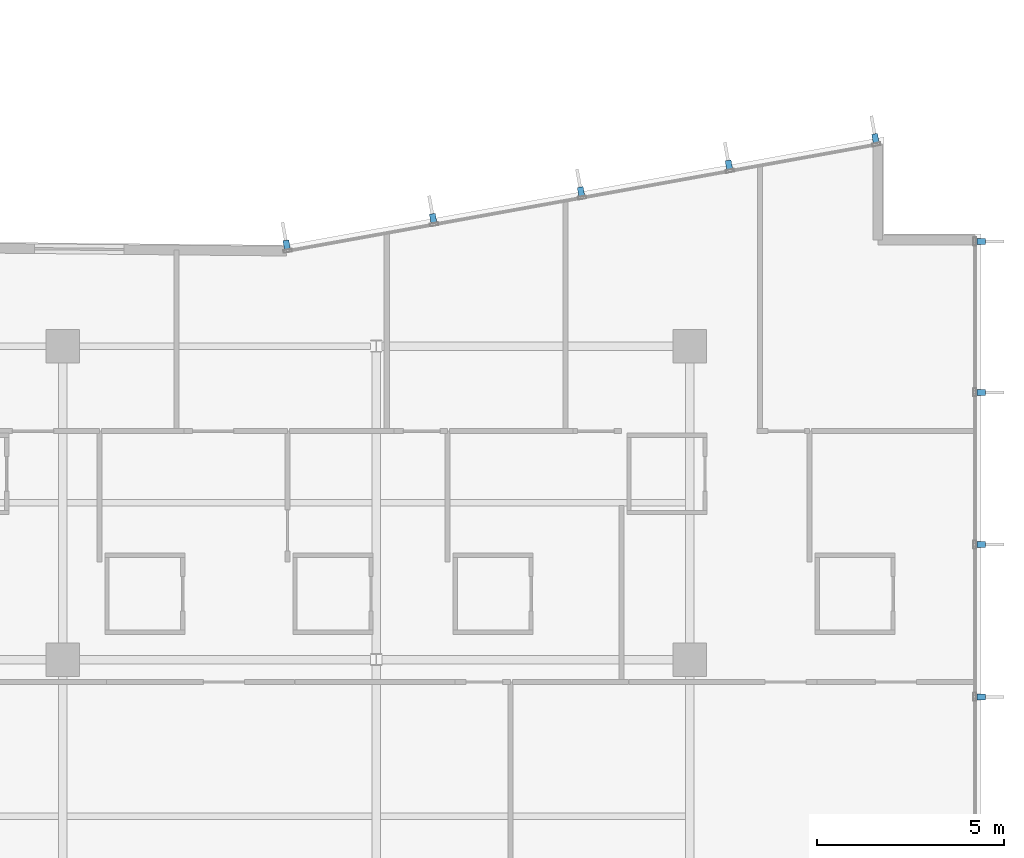
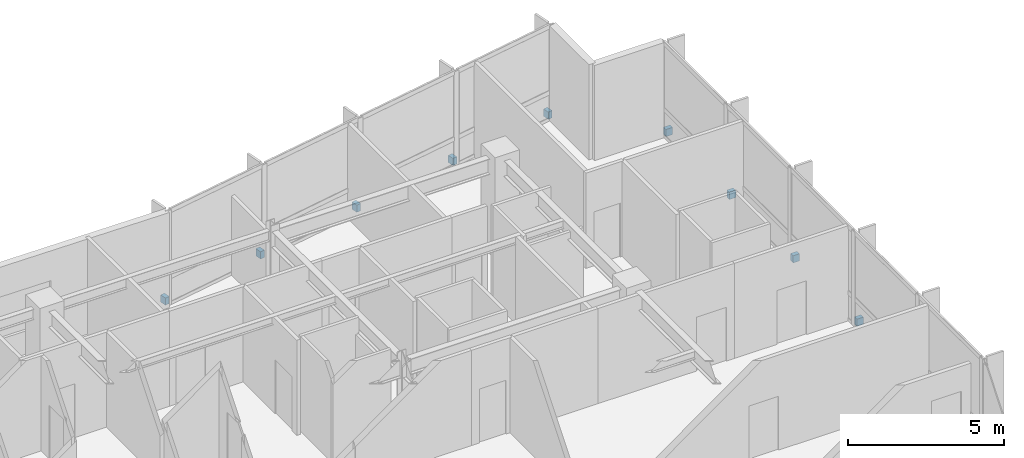
# One storey, part 16 of 22: 9 discrete accessories.
"""IFC4 building model written with IfcOpenShell, lengths in metres."""

from ifc_helpers import new_model, si_unit, direction, frame, origin, origin_2d, place, context, subcontext, project, spatial, rectangle, extrude, material, type_object, element, save


model = new_model("IFC4")

# Units and contexts
model_context = context("Model", 3, precision=1e-05, world=origin(), true_north=direction((0.0, 1.0)))
body_context = subcontext(model_context, "Body", "Model", "MODEL_VIEW")
ifc_project = project(units=[si_unit("LENGTHUNIT", "METRE"), si_unit("AREAUNIT", "SQUARE_METRE"), si_unit("VOLUMEUNIT", "CUBIC_METRE"), si_unit("PLANEANGLEUNIT", "RADIAN"), si_unit("MASSUNIT", "GRAM", prefix="KILO")], contexts=[model_context])

# Site, building, storey
site_placement = place(None, origin())
site = spatial("IfcSite", under=ifc_project, at=site_placement, CompositionType="ELEMENT")
building_placement = place(site_placement, origin())
building = spatial("IfcBuilding", under=site, at=building_placement, Name="Varnakote Quay Hospital", CompositionType="ELEMENT")
storey_placement = place(building_placement, frame((0.0, 0.0, 65.949951171875)))
storey = spatial("IfcBuildingStorey", under=building, at=storey_placement, Name="L16", CompositionType="ELEMENT", Elevation=65.949951171875)

# Discrete accessories
ifc_material = material(Name="Anodised aluminium 6063-T6 Bronze", Category="aluminium")
discrete_accessory_type = type_object("IfcDiscreteAccessoryType", Name="ACC-FIN-BRACKET-180", PredefinedType="BRACKET", material=ifc_material)
for number, where, z_axis, x_axis, name in (
    (1, (58.2099609375, 19.39990234375, 0.0), (0.0, 0.0, 1.0), (0.0, 1.0, 0.0), "L16 Curtain Wall Fin Fixing Bracket"),
    (2, (58.2099609375, 23.47998046875, 0.0), (0.0, 0.0, 1.0), (0.0, 1.0, 0.0), "L16 Curtain Wall Fin Fixing Bracket"),
    (3, (58.2099609375, 27.56005859375, 0.0), (0.0, 0.0, 1.0), (0.0, 1.0, 0.0), "L16 Curtain Wall Fin Fixing Bracket"),
    (4, (58.2099609375, 31.6025390625, 0.0), (0.0, 0.0, 1.0), (0.0, 1.0, 0.0), "L16 Curtain Wall Fin Fixing Bracket"),
    (5, (55.372802734375, 34.369140625, 0.0), (0.0, 0.0, 1.0), (-0.984071739666, -0.177771795263, 0.0), "L16 Curtain Wall Fin Fixing Bracket"),
    (6, (51.447265625, 33.65966796875, 0.0), (0.0, 0.0, 1.0), (-0.984071739666, -0.177771795263, 0.0), "L16 Curtain Wall Fin Fixing Bracket"),
    (7, (47.484619140625, 32.943603515625, 0.0), (0.0, 0.0, 1.0), (-0.984071739666, -0.177771795263, 0.0), "L16 Curtain Wall Fin Fixing Bracket"),
    (8, (43.52197265625, 32.227294921875, 0.0), (0.0, 0.0, 1.0), (-0.984071739666, -0.177771795263, 0.0), "L16 Curtain Wall Fin Fixing Bracket"),
    (9, (39.59619140625, 31.517822265625, 0.0), (0.0, 0.0, 1.0), (-0.984071739666, -0.177771795263, 0.0), "L16 Curtain Wall Fin Fixing Bracket"),
):
    element("IfcDiscreteAccessory", number, at=place(storey_placement, frame(where, z_axis=z_axis, x_axis=x_axis)), inside=storey, type_object=discrete_accessory_type, Name=name, PredefinedType="BRACKET", context=body_context, shape_type="SweptSolid", body=[
        extrude(rectangle(XDim=0.159912109375, YDim=0.239990234375, at=origin_2d()), origin(), (0.0, 0.0, 1.0), 0.280029296875),
    ])

save(model, "model.ifc")
